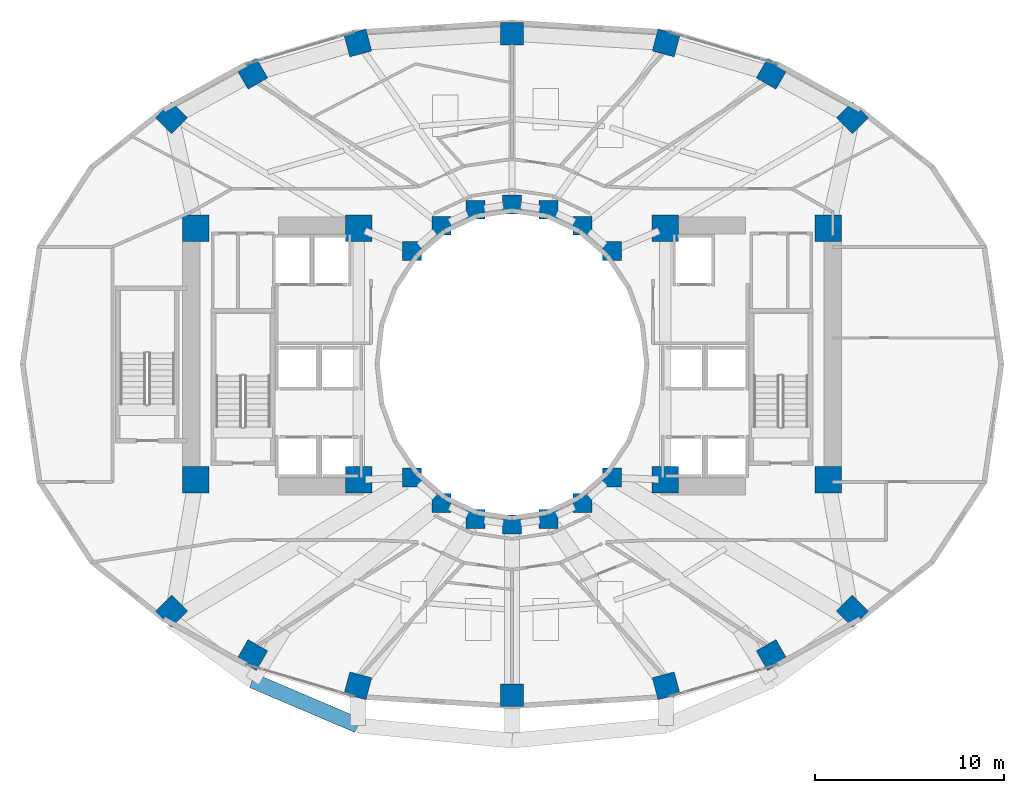
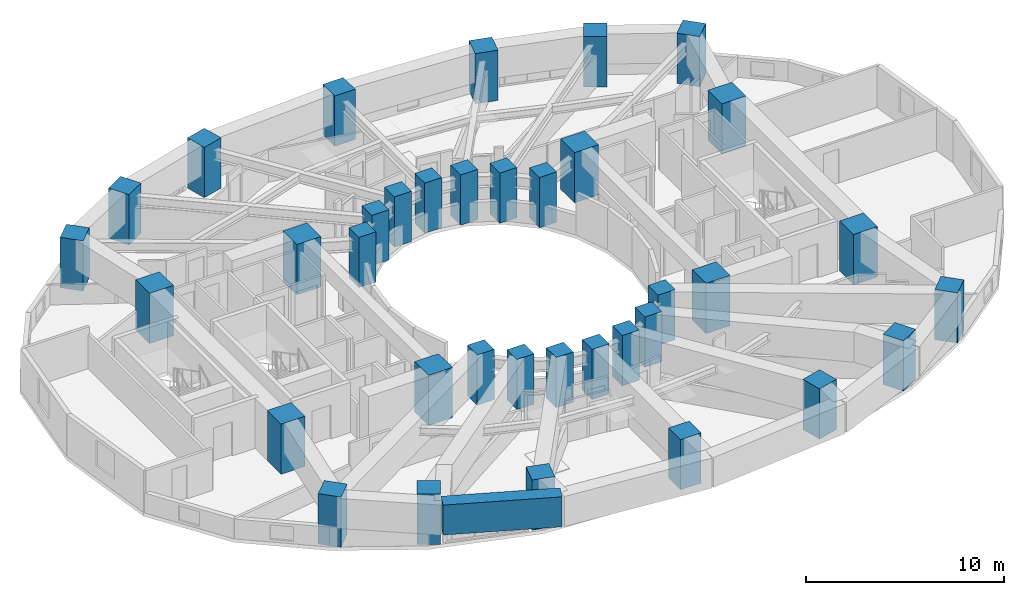
# One storey, part 1 of 17: 36 columns, 1 beam.
"""IFC4 building model written with IfcOpenShell, lengths in metres."""

from ifc_helpers import new_model, si_unit, direction, frame, origin, origin_2d, place, context, subcontext, project, spatial, rectangle, extrude, material, material_profile, profile_set, type_object, element, save


model = new_model("IFC4")

# Units and contexts
model_context = context("Model", 3, precision=1e-05, world=origin(), true_north=direction((0.0, 1.0)))
body_context = subcontext(model_context, "Body", "Model", "MODEL_VIEW")
ifc_project = project(units=[si_unit("LENGTHUNIT", "METRE"), si_unit("AREAUNIT", "SQUARE_METRE"), si_unit("VOLUMEUNIT", "CUBIC_METRE"), si_unit("PLANEANGLEUNIT", "RADIAN"), si_unit("MASSUNIT", "GRAM", prefix="KILO")], contexts=[model_context])

# Site, building, storey
site_placement = place(None, origin())
site = spatial("IfcSite", under=ifc_project, at=site_placement, CompositionType="ELEMENT")
building_placement = place(site_placement, origin())
building = spatial("IfcBuilding", under=site, at=building_placement, Name="Solvane Sanctuary Tower", CompositionType="ELEMENT")
storey_placement = place(building_placement, frame((0.0, 0.0, 52.39990234375)))
storey = spatial("IfcBuildingStorey", under=building, at=storey_placement, Name="L15", CompositionType="ELEMENT", Elevation=52.39990234375)

# Columns
ifc_material = material(Name="Concrete C70/85", Category="concrete")
ifc_material_profile_1 = material_profile(ifc_material, rectangle(XDim=1.39990234375, YDim=1.39990234375, at=origin_2d()), Name="RC1400X1400")
ifc_profile_set_1 = profile_set([ifc_material_profile_1], Name="Concrete C70/85")
column_type_1 = type_object("IfcColumnType", Name="Column C-POD-INT RC1400X1400", PredefinedType="COLUMN", material=ifc_profile_set_1)
for number, where, z_axis, x_axis, name in (
    (1, (15.300048828125, 16.89990234375, 0.0), (0.0, 0.0, 1.0), (1.0, 0.0, 0.0), "L15 Core Corner Column CW1"),
    (2, (23.89990234375, 16.89990234375, 0.0), (0.0, 0.0, 1.0), (1.0, 0.0, 0.0), "L15 Core Corner Column CW2"),
    (3, (23.89990234375, 30.199951171875, 0.0), (0.0, 0.0, 1.0), (1.0, 0.0, 0.0), "L15 Core Corner Column CW3"),
    (4, (15.300048828125, 30.199951171875, 0.0), (0.0, 0.0, 1.0), (1.0, 0.0, 0.0), "L15 Core Corner Column CW4"),
    (5, (40.10009765625, 16.89990234375, 0.0), (0.0, 0.0, 1.0), (1.0, 0.0, 0.0), "L15 Core Corner Column CE1"),
    (6, (48.699951171875, 16.89990234375, 0.0), (0.0, 0.0, 1.0), (1.0, 0.0, 0.0), "L15 Core Corner Column CE2"),
    (7, (48.699951171875, 30.199951171875, 0.0), (0.0, 0.0, 1.0), (1.0, 0.0, 0.0), "L15 Core Corner Column CE3"),
    (8, (40.10009765625, 30.199951171875, 0.0), (0.0, 0.0, 1.0), (1.0, 0.0, 0.0), "L15 Core Corner Column CE4"),
):
    element("IfcColumn", number, at=place(storey_placement, frame(where, z_axis=z_axis, x_axis=x_axis)), inside=storey, type_object=column_type_1, Name=name, PredefinedType="COLUMN", context=body_context, shape_type="SweptSolid", body=[
        extrude(rectangle(XDim=1.39990234375, YDim=1.39990234375, at=origin_2d()), origin(), (0.0, 0.0, 1.0), 3.10009765625),
    ])
ifc_material_profile_2 = material_profile(ifc_material, rectangle(XDim=1.0, YDim=1.0, at=origin_2d()), Name="RC1000X1000")
ifc_profile_set_2 = profile_set([ifc_material_profile_2], Name="Concrete C70/85")
column_type_2 = type_object("IfcColumnType", Name="Column C-RING-Z1 RC1000X1000", PredefinedType="COLUMN", material=ifc_profile_set_2)
for number, where, z_axis, x_axis, name in (
    (9, (37.27490234375, 28.982177734375, 0.0), (0.0, 0.0, 1.0), (1.0, 0.0, 0.0), "L15 Inner Light-Well Ring Column IC01"),
    (10, (35.72998046875, 30.32666015625, 0.0), (0.0, 0.0, 1.0), (1.0, 0.0, 0.0), "L15 Inner Light-Well Ring Column IC02"),
    (11, (33.930908203125, 31.171630859375, 0.0), (0.0, 0.0, 1.0), (1.0, 0.0, 0.0), "L15 Inner Light-Well Ring Column IC03"),
    (12, (32.0, 31.4599609375, 0.0), (0.0, 0.0, 1.0), (1.0, 0.0, 0.0), "L15 Inner Light-Well Ring Column IC04"),
    (13, (30.069091796875, 31.171630859375, 0.0), (0.0, 0.0, 1.0), (1.0, 0.0, 0.0), "L15 Inner Light-Well Ring Column IC05"),
    (14, (28.27001953125, 30.32666015625, 0.0), (0.0, 0.0, 1.0), (1.0, 0.0, 0.0), "L15 Inner Light-Well Ring Column IC06"),
    (15, (26.72509765625, 28.982177734375, 0.0), (0.0, 0.0, 1.0), (1.0, 0.0, 0.0), "L15 Inner Light-Well Ring Column IC07"),
    (16, (26.72509765625, 17.017822265625, 0.0), (0.0, 0.0, 1.0), (1.0, 0.0, 0.0), "L15 Inner Light-Well Ring Column IC08"),
    (17, (28.27001953125, 15.67333984375, 0.0), (0.0, 0.0, 1.0), (1.0, 0.0, 0.0), "L15 Inner Light-Well Ring Column IC09"),
    (18, (30.069091796875, 14.828369140625, 0.0), (0.0, 0.0, 1.0), (1.0, 0.0, 0.0), "L15 Inner Light-Well Ring Column IC10"),
    (19, (32.0, 14.5400390625, 0.0), (0.0, 0.0, 1.0), (1.0, 0.0, 0.0), "L15 Inner Light-Well Ring Column IC11"),
    (20, (33.930908203125, 14.828369140625, 0.0), (0.0, 0.0, 1.0), (1.0, 0.0, 0.0), "L15 Inner Light-Well Ring Column IC12"),
    (21, (35.72998046875, 15.67333984375, 0.0), (0.0, 0.0, 1.0), (1.0, 0.0, 0.0), "L15 Inner Light-Well Ring Column IC13"),
    (22, (37.27490234375, 17.017822265625, 0.0), (0.0, 0.0, 1.0), (1.0, 0.0, 0.0), "L15 Inner Light-Well Ring Column IC14"),
):
    element("IfcColumn", number, at=place(storey_placement, frame(where, z_axis=z_axis, x_axis=x_axis)), inside=storey, type_object=column_type_2, Name=name, PredefinedType="COLUMN", context=body_context, shape_type="SweptSolid", body=[
        extrude(rectangle(XDim=1.0, YDim=1.0, at=origin_2d()), origin(), (0.0, 0.0, 1.0), 3.10009765625),
    ])
ifc_material_profile_3 = material_profile(ifc_material, rectangle(XDim=1.199951171875, YDim=1.199951171875, at=origin_2d()), Name="RC1200X1200")
ifc_profile_set_3 = profile_set([ifc_material_profile_3], Name="Concrete C70/85")
column_type_3 = type_object("IfcColumnType", Name="Column C-TUBE-Z1 RC1200X1200", PredefinedType="COLUMN", material=ifc_profile_set_3)
for number, where, z_axis, x_axis, name in (
    (23, (49.99169921875, 36.035400390625, 0.0), (0.0, 0.0, 1.0), (0.707106781187, 0.707106781187, 0.0), "L15 Perimeter Tube Column TC01"),
    (24, (45.727294921875, 38.359375, 0.0), (0.0, 0.0, 1.0), (0.5, 0.866025403784, 0.0), "L15 Perimeter Tube Column TC02"),
    (25, (40.14501953125, 39.985595703125, 0.0), (0.0, 0.0, 1.0), (0.258819045103, 0.965925826289, 0.0), "L15 Perimeter Tube Column TC03"),
    (26, (32.0, 40.47998046875, 0.0), (0.0, 0.0, 1.0), (0.0, 1.0, 0.0), "L15 Perimeter Tube Column TC04"),
    (27, (23.85498046875, 39.985595703125, 0.0), (0.0, 0.0, 1.0), (-0.258819045103, 0.965925826289, 0.0), "L15 Perimeter Tube Column TC05"),
    (28, (18.272705078125, 38.359375, 0.0), (0.0, 0.0, 1.0), (-0.5, 0.866025403784, 0.0), "L15 Perimeter Tube Column TC06"),
    (29, (14.00830078125, 36.035400390625, 0.0), (0.0, 0.0, 1.0), (-0.707106781187, 0.707106781187, 0.0), "L15 Perimeter Tube Column TC07"),
    (30, (14.00830078125, 9.964599609375, 0.0), (0.0, 0.0, 1.0), (-0.707106781187, -0.707106781187, 0.0), "L15 Perimeter Tube Column TC08"),
    (31, (18.272705078125, 7.640625, 0.0), (0.0, 0.0, 1.0), (-0.5, -0.866025403784, 0.0), "L15 Perimeter Tube Column TC09"),
    (32, (23.85498046875, 6.014404296875, 0.0), (0.0, 0.0, 1.0), (-0.258819045103, -0.965925826289, 0.0), "L15 Perimeter Tube Column TC10"),
    (33, (32.0, 5.52001953125, 0.0), (0.0, 0.0, 1.0), (0.0, -1.0, 0.0), "L15 Perimeter Tube Column TC11"),
    (34, (40.14501953125, 6.014404296875, 0.0), (0.0, 0.0, 1.0), (0.258819045103, -0.965925826289, 0.0), "L15 Perimeter Tube Column TC12"),
    (35, (45.727294921875, 7.640625, 0.0), (0.0, 0.0, 1.0), (0.5, -0.866025403784, 0.0), "L15 Perimeter Tube Column TC13"),
    (36, (49.99169921875, 9.964599609375, 0.0), (0.0, 0.0, 1.0), (0.707106781187, -0.707106781187, 0.0), "L15 Perimeter Tube Column TC14"),
):
    element("IfcColumn", number, at=place(storey_placement, frame(where, z_axis=z_axis, x_axis=x_axis)), inside=storey, type_object=column_type_3, Name=name, PredefinedType="COLUMN", context=body_context, shape_type="SweptSolid", body=[
        extrude(rectangle(XDim=1.199951171875, YDim=1.199951171875, at=origin_2d()), origin(), (0.0, 0.0, 1.0), 3.10009765625),
    ])

# Beam
ifc_material_profile_4 = material_profile(ifc_material, rectangle(XDim=0.800048828125, YDim=1.85009765625, at=origin_2d()), Name="RC800X1850")
ifc_profile_set_4 = profile_set([ifc_material_profile_4], Name="Concrete C70/85")
beam_type = type_object("IfcBeamType", Name="Beam B-XFER-BLK RC800X1850", PredefinedType="BEAM", material=ifc_profile_set_4)
beam_placement = place(storey_placement, frame((18.272705078125, 6.2958984375, 2.175048828125), z_axis=(0.919904945582, -0.392141417213, 0.0), x_axis=(0.392141417213, 0.919904945582, 0.0)))
element("IfcBeam", 37, at=beam_placement, inside=storey, type_object=beam_type, Name="L15 Perimeter Step Transfer Ring NTC09-NTC10", PredefinedType="BEAM", context=body_context, shape_type="SweptSolid", body=[
    extrude(rectangle(XDim=0.800048828125, YDim=1.85009765625, at=origin_2d()), origin(), (0.0, 0.0, 1.0), 6.068359375),
])

save(model, "model.ifc")
